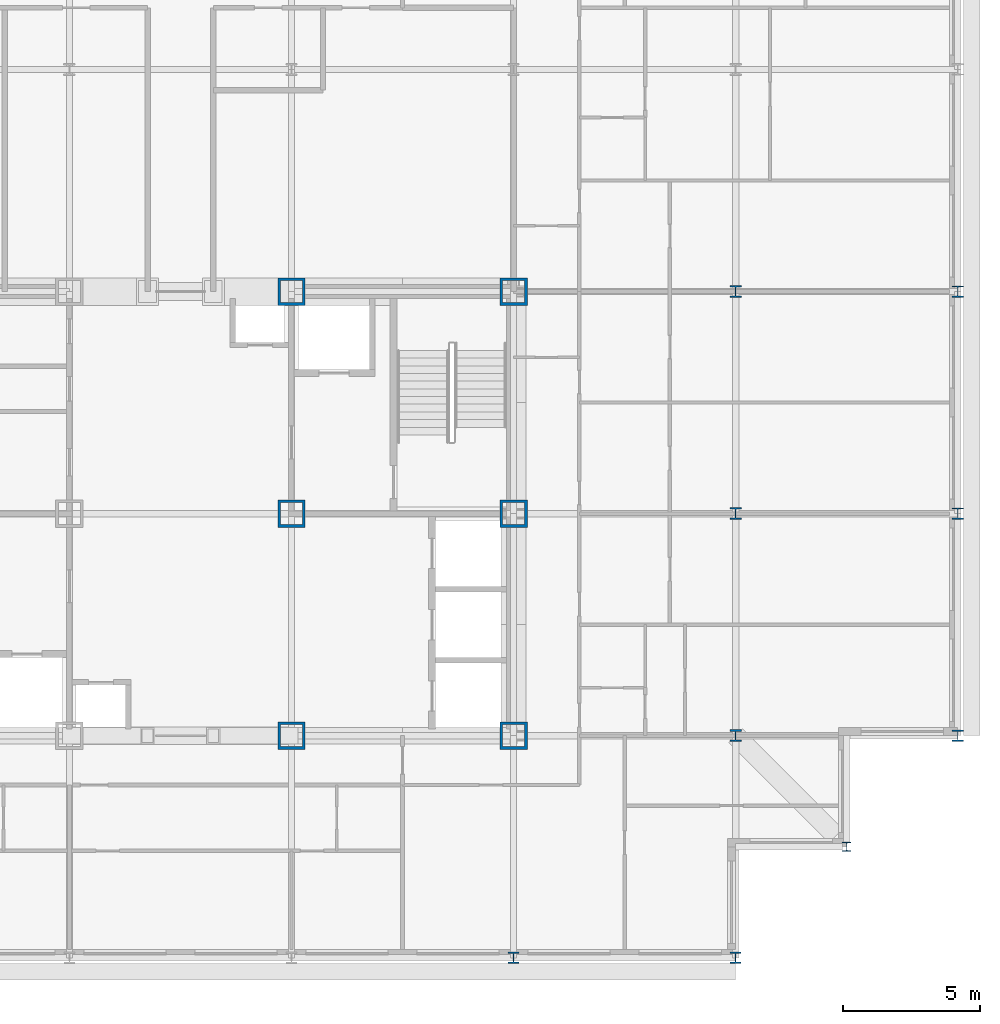
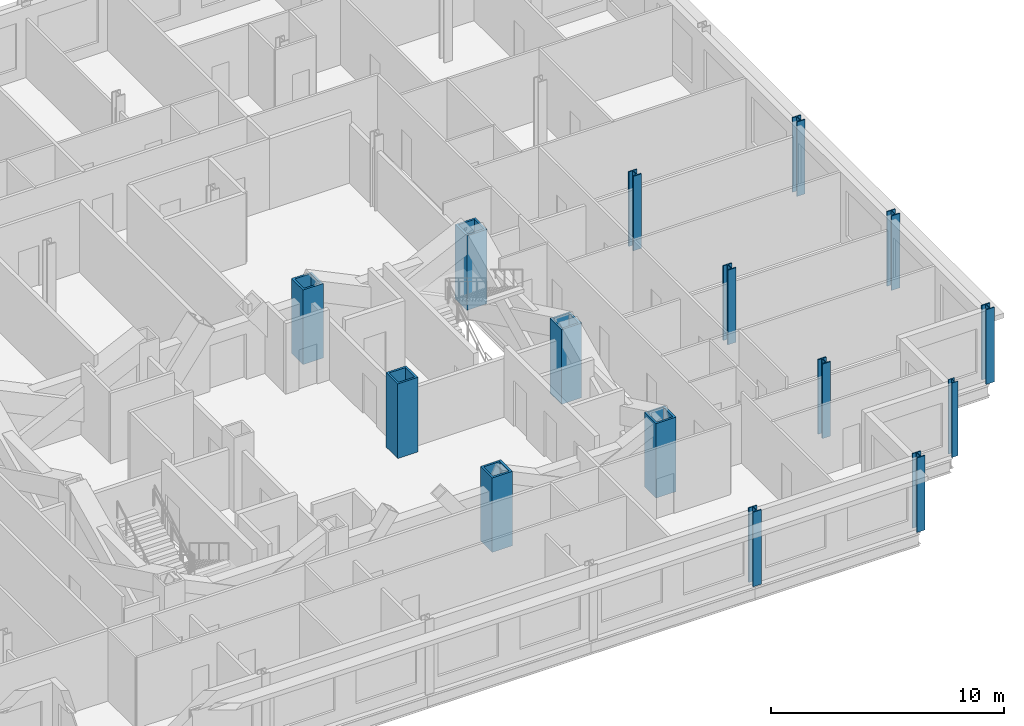
# One storey, part 2 of 15: 15 columns.
"""IFC4 building model written with IfcOpenShell, lengths in metres."""

from ifc_helpers import new_model, si_unit, direction, frame, origin, origin_2d, place, context, subcontext, project, spatial, hollow_rectangle, i_section, extrude, material, material_profile, profile_set, type_object, element, save


model = new_model("IFC4")

# Units and contexts
model_context = context("Model", 3, precision=1e-05, world=origin(), true_north=direction((0.0, 1.0)))
body_context = subcontext(model_context, "Body", "Model", "MODEL_VIEW")
ifc_project = project(units=[si_unit("LENGTHUNIT", "METRE"), si_unit("AREAUNIT", "SQUARE_METRE"), si_unit("VOLUMEUNIT", "CUBIC_METRE"), si_unit("PLANEANGLEUNIT", "RADIAN"), si_unit("MASSUNIT", "GRAM", prefix="KILO")], contexts=[model_context])

# Site, building, storey
site_placement = place(None, origin())
site = spatial("IfcSite", under=ifc_project, at=site_placement, CompositionType="ELEMENT")
building_placement = place(site_placement, origin())
building = spatial("IfcBuilding", under=site, at=building_placement, Name="Kopane Lantern Tower", CompositionType="ELEMENT")
storey_placement = place(building_placement, frame((0.0, 0.0, 269.699951171875)))
storey = spatial("IfcBuildingStorey", under=building, at=storey_placement, Name="L69", CompositionType="ELEMENT", Elevation=269.699951171875)

# Columns
ifc_material_1 = material(Name="Steel S355JR", Category="steel")
ifc_material_profile_1 = material_profile(ifc_material_1, hollow_rectangle(XDim=1.0, YDim=1.0, WallThickness=0.10009765625, at=origin_2d()), Name="BOX 1000x1000x100")
ifc_profile_set_1 = profile_set([ifc_material_profile_1], Name="Steel S355JR")
column_type_1 = type_object("IfcColumnType", Name="COLUMN BOX 1000x1000x100", PredefinedType="COLUMN", material=ifc_profile_set_1)
for number, where, z_axis, x_axis, name in (
    (1, (32.39990234375, 24.300048828125, 0.0), (0.0, 0.0, 1.0), (1.0, 0.0, 0.0), "Column 6/E L69"),
    (2, (32.39990234375, 32.39990234375, 0.0), (0.0, 0.0, 1.0), (1.0, 0.0, 0.0), "Column 6/F L69"),
    (3, (32.39990234375, 40.5, 0.0), (0.0, 0.0, 1.0), (1.0, 0.0, 0.0), "Column 6/G L69"),
    (4, (40.5, 24.300048828125, 0.0), (0.0, 0.0, 1.0), (1.0, 0.0, 0.0), "Column 7/E L69"),
    (5, (40.5, 32.39990234375, 0.0), (0.0, 0.0, 1.0), (1.0, 0.0, 0.0), "Column 7/F L69"),
    (6, (40.5, 40.5, 0.0), (0.0, 0.0, 1.0), (1.0, 0.0, 0.0), "Column 7/G L69"),
):
    element("IfcColumn", number, at=place(storey_placement, frame(where, z_axis=z_axis, x_axis=x_axis)), inside=storey, type_object=column_type_1, Name=name, PredefinedType="COLUMN", context=body_context, shape_type="SweptSolid", body=[
        extrude(hollow_rectangle(XDim=1.0, YDim=1.0, WallThickness=0.10009765625, at=origin_2d()), origin(), (0.0, 0.0, 1.0), 3.900146484375),
    ])
ifc_material_2 = material(Name="Steel S355JR", Category="steel")
ifc_material_profile_2 = material_profile(ifc_material_2, i_section(OverallWidth=0.307373046875, OverallDepth=0.314453125, WebThickness=0.011962890625, FlangeThickness=0.018798828125, FilletRadius=0.01513671875, at=origin_2d()), Name="UC 305x305x118")
ifc_profile_set_2 = profile_set([ifc_material_profile_2], Name="Steel S355JR")
column_type_2 = type_object("IfcColumnType", Name="COLUMN UC 305x305x118", PredefinedType="COLUMN", material=ifc_profile_set_2)
column_placement = place(storey_placement, frame((52.64990234375, 20.25, 0.0), z_axis=(0.0, 0.0, 1.0), x_axis=(1.0, 0.0, 0.0)))
element("IfcColumn", 7, at=column_placement, inside=storey, type_object=column_type_2, Name="Column 52.65/20.25 L69", PredefinedType="COLUMN", context=body_context, shape_type="SweptSolid", body=[
    extrude(i_section(OverallWidth=0.307373046875, OverallDepth=0.314453125, WebThickness=0.011962890625, FlangeThickness=0.018798828125, FilletRadius=0.01513671875, at=origin_2d()), origin(), (0.0, 0.0, 1.0), 3.900146484375),
])
ifc_material_3 = material(Name="Steel S355JR", Category="steel")
ifc_material_profile_3 = material_profile(ifc_material_3, i_section(OverallWidth=0.406982421875, OverallDepth=0.4189453125, WebThickness=0.030517578125, FlangeThickness=0.04931640625, FilletRadius=0.01513671875, at=origin_2d()), Name="UC 356x406x393")
ifc_profile_set_3 = profile_set([ifc_material_profile_3], Name="Steel S355JR")
column_type_3 = type_object("IfcColumnType", Name="COLUMN UC 356x406x393", PredefinedType="COLUMN", material=ifc_profile_set_3)
for number, where, z_axis, x_axis, name in (
    (8, (40.5, 16.199951171875, 0.0), (0.0, 0.0, 1.0), (1.0, 0.0, 0.0), "Column 7/D L69"),
    (9, (48.60009765625, 16.199951171875, 0.0), (0.0, 0.0, 1.0), (1.0, 0.0, 0.0), "Column 8/D L69"),
    (10, (56.699951171875, 24.300048828125, 0.0), (0.0, 0.0, 1.0), (1.0, 0.0, 0.0), "Column 9/E L69"),
    (11, (56.699951171875, 32.39990234375, 0.0), (0.0, 0.0, 1.0), (1.0, 0.0, 0.0), "Column 9/F L69"),
    (12, (56.699951171875, 40.5, 0.0), (0.0, 0.0, 1.0), (1.0, 0.0, 0.0), "Column 9/G L69"),
):
    element("IfcColumn", number, at=place(storey_placement, frame(where, z_axis=z_axis, x_axis=x_axis)), inside=storey, type_object=column_type_3, Name=name, PredefinedType="COLUMN", context=body_context, shape_type="SweptSolid", body=[
        extrude(i_section(OverallWidth=0.406982421875, OverallDepth=0.4189453125, WebThickness=0.030517578125, FlangeThickness=0.04931640625, FilletRadius=0.01513671875, at=origin_2d()), origin(), (0.0, 0.0, 1.0), 3.900146484375),
    ])
ifc_material_4 = material(Name="Steel S355JR", Category="steel")
ifc_material_profile_4 = material_profile(ifc_material_4, i_section(OverallWidth=0.412109375, OverallDepth=0.4365234375, WebThickness=0.035888671875, FlangeThickness=0.05810546875, FilletRadius=0.01513671875, at=origin_2d()), Name="UC 356x406x467")
ifc_profile_set_4 = profile_set([ifc_material_profile_4], Name="Steel S355JR")
column_type_4 = type_object("IfcColumnType", Name="COLUMN UC 356x406x467", PredefinedType="COLUMN", material=ifc_profile_set_4)
for number, where, z_axis, x_axis, name in (
    (13, (48.60009765625, 24.300048828125, 0.0), (0.0, 0.0, 1.0), (1.0, 0.0, 0.0), "Column 8/E L69"),
    (14, (48.60009765625, 32.39990234375, 0.0), (0.0, 0.0, 1.0), (1.0, 0.0, 0.0), "Column 8/F L69"),
    (15, (48.60009765625, 40.5, 0.0), (0.0, 0.0, 1.0), (1.0, 0.0, 0.0), "Column 8/G L69"),
):
    element("IfcColumn", number, at=place(storey_placement, frame(where, z_axis=z_axis, x_axis=x_axis)), inside=storey, type_object=column_type_4, Name=name, PredefinedType="COLUMN", context=body_context, shape_type="SweptSolid", body=[
        extrude(i_section(OverallWidth=0.412109375, OverallDepth=0.4365234375, WebThickness=0.035888671875, FlangeThickness=0.05810546875, FilletRadius=0.01513671875, at=origin_2d()), origin(), (0.0, 0.0, 1.0), 3.900146484375),
    ])

save(model, "model.ifc")
